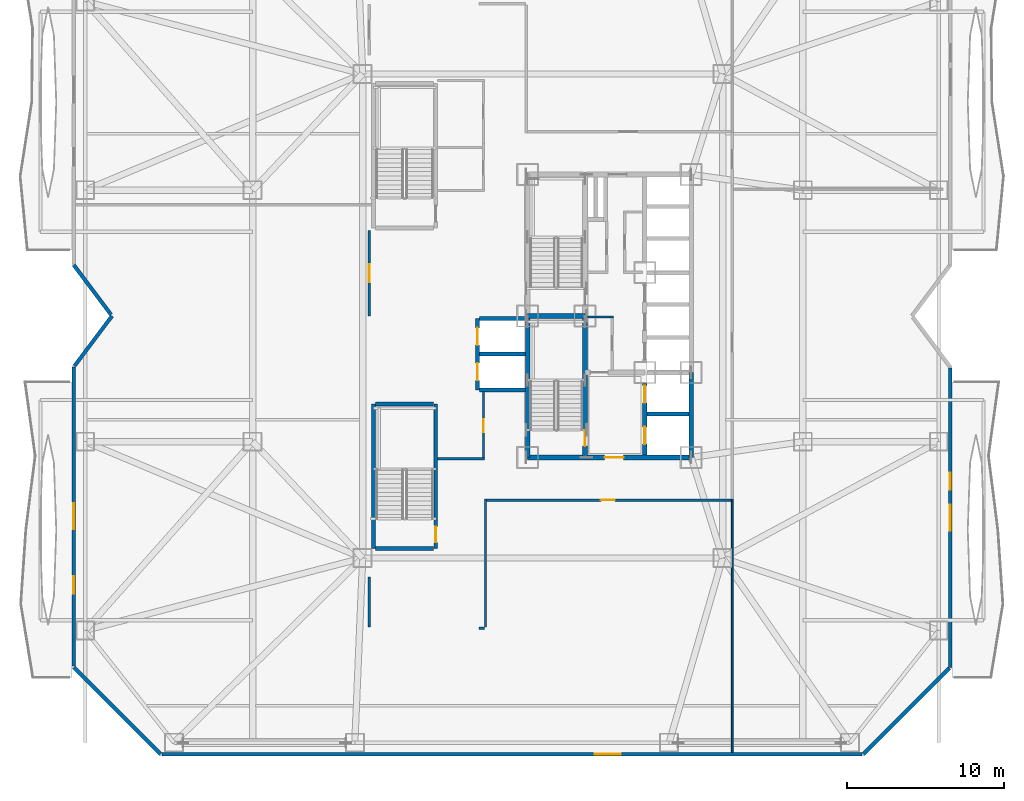
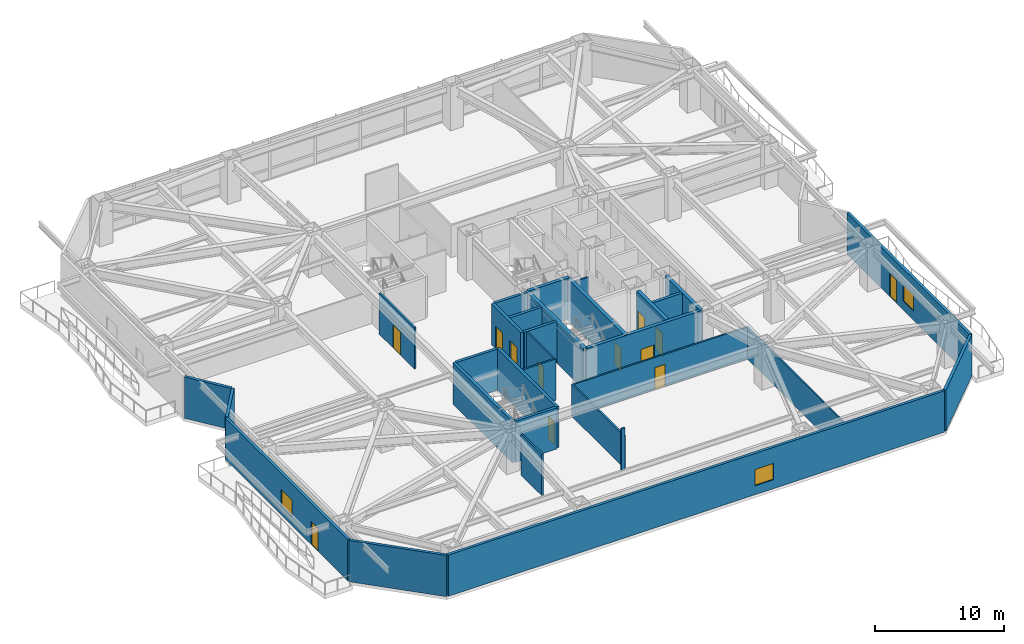
# One storey, part 16 of 24: 31 walls, 12 doors, 3 windows, 15 openings.
"""IFC4 building model written with IfcOpenShell, lengths in metres."""

from ifc_helpers import new_model, si_unit, direction, frame, frame_2d, origin, place, context, subcontext, project, spatial, rectangle, extrude, material, layer, layer_set, type_object, element, fill, save


model = new_model("IFC4")

# Units and contexts
model_context = context("Model", 3, precision=1e-05, world=origin(), true_north=direction((0.0, 1.0)))
body_context = subcontext(model_context, "Body", "Model", "MODEL_VIEW")
ifc_project = project(units=[si_unit("LENGTHUNIT", "METRE"), si_unit("AREAUNIT", "SQUARE_METRE"), si_unit("VOLUMEUNIT", "CUBIC_METRE"), si_unit("PLANEANGLEUNIT", "RADIAN"), si_unit("MASSUNIT", "GRAM", prefix="KILO")], contexts=[model_context])

# Site, building, storey
site_placement = place(None, origin())
site = spatial("IfcSite", under=ifc_project, at=site_placement, CompositionType="ELEMENT")
building_placement = place(site_placement, origin())
building = spatial("IfcBuilding", under=site, at=building_placement, Name="Khamvora Tower", CompositionType="ELEMENT")
storey_placement = place(building_placement, frame((0.0, 0.0, 20.39990234375)))
storey = spatial("IfcBuildingStorey", under=building, at=storey_placement, Name="L04", CompositionType="ELEMENT", Elevation=20.39990234375)

# Wall
ifc_material_1 = material(Name="Concrete C50/60", Category="concrete")
ifc_layer_1 = layer(ifc_material_1, 0.300048828125)
ifc_layer_set_1 = layer_set([ifc_layer_1], Name="Concrete C50/60")
wall_type_1 = type_object("IfcWallType", Name="WAL-CORE-300", PredefinedType="SHEAR", material=ifc_layer_set_1)
wall_1_placement = place(storey_placement, frame((29.0, 19.0, 0.0), z_axis=(0.0, 0.0, 1.0), x_axis=(0.0, 1.0, 0.0)))
element("IfcWall", 1, at=wall_1_placement, inside=storey, type_object=wall_type_1, Name="L04 central core west south wall", PredefinedType="SHEAR", context=body_context, shape_type="SweptSolid", body=[
    extrude(rectangle(XDim=9.0, YDim=0.300048828125, at=frame_2d((4.5, 0.0))), origin(), (0.0, 0.0, 1.0), 3.920166015625),
])

# Wall, opening, door
wall_2_placement = place(storey_placement, frame((29.0, 19.0, 0.0), z_axis=(0.0, 0.0, 1.0), x_axis=(1.0, 0.0, 0.0)))
wall_2 = element("IfcWall", 2, at=wall_2_placement, inside=storey, type_object=wall_type_1, Name="L04 central core south wall", PredefinedType="SHEAR", context=body_context, shape_type="SweptSolid", body=[
    extrude(rectangle(XDim=10.39990234375, YDim=0.300048828125, at=frame_2d((5.199951171875, 0.0))), origin(), (0.0, 0.0, 1.0), 3.920166015625),
])
opening_1_placement = place(wall_2_placement, frame((4.89990234375, 0.0, 0.0)))
opening_1 = element("IfcOpeningElement", 3, at=opening_1_placement, cuts=wall_2, Name="Opening D-CR1", PredefinedType="OPENING", context=body_context, shape_type="SweptSolid", body=[
    extrude(rectangle(XDim=1.199951171875, YDim=2.14990234375, at=frame_2d((0.60009765625, 1.074951171875))), frame((0.0, 0.159912109375, 0.0), z_axis=(0.0, -1.0, 0.0), x_axis=(1.0, 0.0, 0.0)), (0.0, 0.0, 1.0), 0.320068359375),
])
ifc_material_2 = material(Name="Powder-Coated Steel and Hardwood Leaf", Category="steel")
door_type_1 = type_object("IfcDoorType", Name="DOR-CORR-1200", OperationType="NOTDEFINED", PredefinedType="DOOR", material=ifc_material_2)
door_1_placement = place(opening_1_placement, origin())
door_1 = element("IfcDoor", 4, at=door_1_placement, inside=storey, type_object=door_type_1, Name="L04 south core lobby to corridor fire door", OperationType="SINGLE_SWING_LEFT", OverallHeight=2.14990234375, OverallWidth=1.199951171875, PredefinedType="DOOR", context=body_context, shape_type="SweptSolid", body=[
    extrude(rectangle(XDim=1.199951171875, YDim=2.14990234375, at=frame_2d((0.60009765625, 1.074951171875))), frame((0.0, 0.02490234375, 0.0), z_axis=(0.0, -1.0, 0.0), x_axis=(1.0, 0.0, 0.0)), (0.0, 0.0, 1.0), 0.050048828125),
])
fill(opening_1, door_1)

# Wall
wall_3_placement = place(storey_placement, frame((39.39990234375, 19.0, 0.0), z_axis=(0.0, 0.0, 1.0), x_axis=(0.0, 1.0, 0.0)))
element("IfcWall", 5, at=wall_3_placement, inside=storey, type_object=wall_type_1, Name="L04 central core east south wall", PredefinedType="SHEAR", context=body_context, shape_type="SweptSolid", body=[
    extrude(rectangle(XDim=5.39990234375, YDim=0.300048828125, at=frame_2d((2.699951171875, 0.0))), origin(), (0.0, 0.0, 1.0), 3.920166015625),
])

# Wall, opening, door
wall_4_placement = place(storey_placement, frame((32.64990234375, 19.0, 0.0), z_axis=(0.0, 0.0, 1.0), x_axis=(0.0, 1.0, 0.0)))
wall_4 = element("IfcWall", 6, at=wall_4_placement, inside=storey, type_object=wall_type_1, Name="L04 central core stair south spine wall", PredefinedType="SHEAR", context=body_context, shape_type="SweptSolid", body=[
    extrude(rectangle(XDim=9.0, YDim=0.300048828125, at=frame_2d((4.5, 0.0))), origin(), (0.0, 0.0, 1.0), 3.920166015625),
])
opening_2_placement = place(wall_4_placement, frame((0.719970703125, 0.0, 0.0)))
opening_2 = element("IfcOpeningElement", 7, at=opening_2_placement, cuts=wall_4, Name="Opening D-ST1", PredefinedType="OPENING", context=body_context, shape_type="SweptSolid", body=[
    extrude(rectangle(XDim=1.0, YDim=2.14990234375, at=frame_2d((0.5, 1.074951171875))), frame((0.0, 0.159912109375, 0.0), z_axis=(0.0, -1.0, 0.0), x_axis=(1.0, 0.0, 0.0)), (0.0, 0.0, 1.0), 0.320068359375),
])
door_type_2 = type_object("IfcDoorType", Name="DOR-STAIR-1000", OperationType="NOTDEFINED", PredefinedType="DOOR", material=ifc_material_2)
door_2_placement = place(opening_2_placement, origin())
door_2 = element("IfcDoor", 8, at=door_2_placement, inside=storey, type_object=door_type_2, Name="L04 exit stair ST-01 fire door", OperationType="SINGLE_SWING_RIGHT", OverallHeight=2.14990234375, OverallWidth=1.0, PredefinedType="DOOR", context=body_context, shape_type="SweptSolid", body=[
    extrude(rectangle(XDim=1.0, YDim=2.14990234375, at=frame_2d((0.5, 1.074951171875))), frame((0.0, 0.02490234375, 0.0), z_axis=(0.0, -1.0, 0.0), x_axis=(1.0, 0.0, 0.0)), (0.0, 0.0, 1.0), 0.050048828125),
])
fill(opening_2, door_2)

# Wall
wall_5_placement = place(storey_placement, frame((29.0, 28.0, 0.0), z_axis=(0.0, 0.0, 1.0), x_axis=(1.0, 0.0, 0.0)))
element("IfcWall", 9, at=wall_5_placement, inside=storey, type_object=wall_type_1, Name="L04 central core stair cross wall", PredefinedType="SHEAR", context=body_context, shape_type="SweptSolid", body=[
    extrude(rectangle(XDim=3.64990234375, YDim=0.300048828125, at=frame_2d((1.824951171875, 0.0))), origin(), (0.0, 0.0, 1.0), 3.920166015625),
])

# Wall, openings, doors
wall_6_placement = place(storey_placement, frame((36.449951171875, 19.154052734375, 0.0), z_axis=(0.0, 0.0, 1.0), x_axis=(0.0, 1.0, 0.0)))
wall_6 = element("IfcWall", 10, at=wall_6_placement, inside=storey, type_object=wall_type_1, Name="L04 central core lift bank south wall", PredefinedType="SHEAR", context=body_context, shape_type="SweptSolid", body=[
    extrude(rectangle(XDim=4.5458984375, YDim=0.300048828125, at=frame_2d((2.27294921875, 0.0))), origin(), (0.0, 0.0, 1.0), 3.920166015625),
])
opening_3_placement = place(wall_6_placement, frame((0.696044921875, 0.0, 0.0)))
opening_3 = element("IfcOpeningElement", 11, at=opening_3_placement, cuts=wall_6, Name="Opening LD-FFL", PredefinedType="OPENING", context=body_context, shape_type="SweptSolid", body=[
    extrude(rectangle(XDim=1.10009765625, YDim=2.14990234375, at=frame_2d((0.550048828125, 1.074951171875))), frame((0.0, 0.159912109375, 0.0), z_axis=(0.0, -1.0, 0.0), x_axis=(1.0, 0.0, 0.0)), (0.0, 0.0, 1.0), 0.320068359375),
])
opening_4_placement = place(wall_6_placement, frame((3.31591796875, 0.0, 0.0)))
opening_4 = element("IfcOpeningElement", 12, at=opening_4_placement, cuts=wall_6, Name="Opening LD-FFL", PredefinedType="OPENING", context=body_context, shape_type="SweptSolid", body=[
    extrude(rectangle(XDim=1.10009765625, YDim=2.14990234375, at=frame_2d((0.550048828125, 1.074951171875))), frame((0.0, 0.159912109375, 0.0), z_axis=(0.0, -1.0, 0.0), x_axis=(1.0, 0.0, 0.0)), (0.0, 0.0, 1.0), 0.320068359375),
])
door_type_3 = type_object("IfcDoorType", Name="DOR-LIFT-1100", OperationType="SLIDING_TO_LEFT", PredefinedType="DOOR", material=ifc_material_2)
door_3_placement = place(opening_3_placement, origin())
door_3 = element("IfcDoor", 13, at=door_3_placement, inside=storey, type_object=door_type_3, Name="L04 lift landing sliding door FFL-01", OperationType="SLIDING_TO_LEFT", OverallHeight=2.14990234375, OverallWidth=1.10009765625, PredefinedType="DOOR", context=body_context, shape_type="SweptSolid", body=[
    extrude(rectangle(XDim=1.10009765625, YDim=2.14990234375, at=frame_2d((0.550048828125, 1.074951171875))), frame((0.0, 0.02490234375, 0.0), z_axis=(0.0, -1.0, 0.0), x_axis=(1.0, 0.0, 0.0)), (0.0, 0.0, 1.0), 0.050048828125),
])
fill(opening_3, door_3)
door_4_placement = place(opening_4_placement, origin())
door_4 = element("IfcDoor", 14, at=door_4_placement, inside=storey, type_object=door_type_3, Name="L04 lift landing sliding door FFL-02", OperationType="SLIDING_TO_LEFT", OverallHeight=2.14990234375, OverallWidth=1.10009765625, PredefinedType="DOOR", context=body_context, shape_type="SweptSolid", body=[
    extrude(rectangle(XDim=1.10009765625, YDim=2.14990234375, at=frame_2d((0.550048828125, 1.074951171875))), frame((0.0, 0.02490234375, 0.0), z_axis=(0.0, -1.0, 0.0), x_axis=(1.0, 0.0, 0.0)), (0.0, 0.0, 1.0), 0.050048828125),
])
fill(opening_4, door_4)

# Walls
ifc_material_3 = material(Name="Fire-Rated Drywall and Steel Stud", Category="steel")
ifc_layer_2 = layer(ifc_material_3, 0.14990234375)
ifc_layer_set_2 = layer_set([ifc_layer_2], Name="Fire-Rated Drywall and Steel Stud")
wall_type_2 = type_object("IfcWallType", Name="WAL-CORR-150", PredefinedType="STANDARD", material=ifc_layer_set_2)
wall_7_placement = place(storey_placement, frame((34.449951171875, 27.93505859375, 0.0), z_axis=(0.0, 0.0, 1.0), x_axis=(-1.0, 0.0, 0.0)))
element("IfcWall", 15, at=wall_7_placement, inside=storey, type_object=wall_type_2, Name="L04 interior partition wall 007", PredefinedType="STANDARD", context=body_context, shape_type="SweptSolid", body=[
    extrude(rectangle(XDim=1.656005859375, YDim=0.14990234375, at=frame_2d((0.828125, 0.0))), origin(), (0.0, 0.0, 1.0), 3.377197265625),
])
wall_8_placement = place(storey_placement, frame((23.26708984375, 18.9150390625, 0.0), z_axis=(0.0, 0.0, 1.0), x_axis=(1.0, 0.0, 0.0)))
element("IfcWall", 16, at=wall_8_placement, inside=storey, type_object=wall_type_2, Name="L04 interior partition wall 008", PredefinedType="STANDARD", context=body_context, shape_type="SweptSolid", body=[
    extrude(rectangle(XDim=2.98291015625, YDim=0.14990234375, at=frame_2d((1.491455078125, 0.0))), origin(), (0.0, 0.0, 1.0), 3.920166015625),
])

# Wall, opening, door
wall_9_placement = place(storey_placement, frame((26.18505859375, 18.85205078125, 0.0), z_axis=(0.0, 0.0, 1.0), x_axis=(0.0, 1.0, 0.0)))
wall_9 = element("IfcWall", 17, at=wall_9_placement, inside=storey, type_object=wall_type_2, Name="L04 interior partition wall 009", PredefinedType="STANDARD", context=body_context, shape_type="SweptSolid", body=[
    extrude(rectangle(XDim=4.3310546875, YDim=0.14990234375, at=frame_2d((2.16552734375, 0.0))), origin(), (0.0, 0.0, 1.0), 3.920166015625),
])
opening_5_placement = place(wall_9_placement, frame((1.740966796875, 0.0, 0.0)))
opening_5 = element("IfcOpeningElement", 18, at=opening_5_placement, cuts=wall_9, Name="Opening D-WC1", PredefinedType="OPENING", context=body_context, shape_type="SweptSolid", body=[
    extrude(rectangle(XDim=0.85009765625, YDim=2.10009765625, at=frame_2d((0.425048828125, 1.050048828125))), frame((0.0, 0.0849609375, 0.0), z_axis=(0.0, -1.0, 0.0), x_axis=(1.0, 0.0, 0.0)), (0.0, 0.0, 1.0), 0.169921875),
])
door_type_4 = type_object("IfcDoorType", Name="DOR-WET-850", OperationType="NOTDEFINED", PredefinedType="DOOR", material=ifc_material_2)
door_5_placement = place(opening_5_placement, origin())
door_5 = element("IfcDoor", 19, at=door_5_placement, inside=storey, type_object=door_type_4, Name="L04 interior door SCOR-WCM", OperationType="SINGLE_SWING_RIGHT", OverallHeight=2.10009765625, OverallWidth=0.85009765625, PredefinedType="DOOR", context=body_context, shape_type="SweptSolid", body=[
    extrude(rectangle(XDim=0.85009765625, YDim=2.10009765625, at=frame_2d((0.425048828125, 1.050048828125))), frame((0.0, 0.02490234375, 0.0), z_axis=(0.0, -1.0, 0.0), x_axis=(1.0, 0.0, 0.0)), (0.0, 0.0, 1.0), 0.050048828125),
])
fill(opening_5, door_5)

wall_10_placement = place(storey_placement, frame((18.9150390625, 28.0, 0.0), z_axis=(0.0, 0.0, 1.0), x_axis=(0.0, 1.0, 0.0)))
wall_10 = element("IfcWall", 20, at=wall_10_placement, inside=storey, type_object=wall_type_2, Name="L04 interior partition wall 014", PredefinedType="STANDARD", context=body_context, shape_type="SweptSolid", body=[
    extrude(rectangle(XDim=5.449951171875, YDim=0.14990234375, at=frame_2d((2.72509765625, 0.0))), origin(), (0.0, 0.0, 1.0), 3.920166015625),
])
opening_6_placement = place(wall_10_placement, frame((2.14990234375, 0.0, 0.0)))
opening_6 = element("IfcOpeningElement", 21, at=opening_6_placement, cuts=wall_10, Name="Opening D-SC1", PredefinedType="OPENING", context=body_context, shape_type="SweptSolid", body=[
    extrude(rectangle(XDim=1.14990234375, YDim=2.199951171875, at=frame_2d((0.574951171875, 1.10009765625))), frame((0.0, 0.0849609375, 0.0), z_axis=(0.0, -1.0, 0.0), x_axis=(1.0, 0.0, 0.0)), (0.0, 0.0, 1.0), 0.169921875),
])
door_type_5 = type_object("IfcDoorType", Name="DOR-SCHL-1150", OperationType="NOTDEFINED", PredefinedType="DOOR", material=ifc_material_2)
door_6_placement = place(opening_6_placement, origin())
door_6 = element("IfcDoor", 22, at=door_6_placement, inside=storey, type_object=door_type_5, Name="L04 interior door SCOR-MAK", OperationType="SINGLE_SWING_LEFT", OverallHeight=2.199951171875, OverallWidth=1.14990234375, PredefinedType="DOOR", context=body_context, shape_type="SweptSolid", body=[
    extrude(rectangle(XDim=1.14990234375, YDim=2.199951171875, at=frame_2d((0.574951171875, 1.10009765625))), frame((0.0, 0.02490234375, 0.0), z_axis=(0.0, -1.0, 0.0), x_axis=(1.0, 0.0, 0.0)), (0.0, 0.0, 1.0), 0.050048828125),
])
fill(opening_6, door_6)

# Wall
wall_11_placement = place(storey_placement, frame((18.9150390625, 8.199951171875, 0.0), z_axis=(0.0, 0.0, 1.0), x_axis=(0.0, 1.0, 0.0)))
element("IfcWall", 23, at=wall_11_placement, inside=storey, type_object=wall_type_2, Name="L04 interior partition wall 015", PredefinedType="STANDARD", context=body_context, shape_type="SweptSolid", body=[
    extrude(rectangle(XDim=3.199951171875, YDim=0.14990234375, at=frame_2d((1.60009765625, 0.0))), origin(), (0.0, 0.0, 1.0), 3.920166015625),
])

# Wall, opening, door
wall_12_placement = place(storey_placement, frame((41.949951171875, 16.284912109375, 0.0), z_axis=(0.0, 0.0, 1.0), x_axis=(-1.0, 0.0, 0.0)))
wall_12 = element("IfcWall", 24, at=wall_12_placement, inside=storey, type_object=wall_type_2, Name="L04 interior partition wall 019", PredefinedType="STANDARD", context=body_context, shape_type="SweptSolid", body=[
    extrude(rectangle(XDim=15.699951171875, YDim=0.14990234375, at=frame_2d((7.85009765625, 0.0))), origin(), (0.0, 0.0, 1.0), 3.05517578125),
])
opening_7_placement = place(wall_12_placement, frame((7.39990234375, 0.0, 0.0)))
opening_7 = element("IfcOpeningElement", 25, at=opening_7_placement, cuts=wall_12, Name="Opening D-RM1", PredefinedType="OPENING", context=body_context, shape_type="SweptSolid", body=[
    extrude(rectangle(XDim=0.89990234375, YDim=2.10009765625, at=frame_2d((0.449951171875, 1.050048828125))), frame((0.0, 0.0849609375, 0.0), z_axis=(0.0, -1.0, 0.0), x_axis=(1.0, 0.0, 0.0)), (0.0, 0.0, 1.0), 0.169921875),
])
door_type_6 = type_object("IfcDoorType", Name="DOR-ROOM-900", OperationType="NOTDEFINED", PredefinedType="DOOR", material=ifc_material_2)
door_7_placement = place(opening_7_placement, origin())
door_7 = element("IfcDoor", 26, at=door_7_placement, inside=storey, type_object=door_type_6, Name="L04 interior door SCOR-CNS", OperationType="SINGLE_SWING_LEFT", OverallHeight=2.10009765625, OverallWidth=0.89990234375, PredefinedType="DOOR", context=body_context, shape_type="SweptSolid", body=[
    extrude(rectangle(XDim=0.89990234375, YDim=2.10009765625, at=frame_2d((0.449951171875, 1.050048828125))), frame((0.0, 0.02490234375, 0.0), z_axis=(0.0, -1.0, 0.0), x_axis=(1.0, 0.0, 0.0)), (0.0, 0.0, 1.0), 0.050048828125),
])
fill(opening_7, door_7)

# Walls
wall_13_placement = place(storey_placement, frame((26.31494140625, 16.35009765625, 0.0), z_axis=(0.0, 0.0, 1.0), x_axis=(0.0, -1.0, 0.0)))
element("IfcWall", 27, at=wall_13_placement, inside=storey, type_object=wall_type_2, Name="L04 interior partition wall 020", PredefinedType="STANDARD", context=body_context, shape_type="SweptSolid", body=[
    extrude(rectangle(XDim=8.150146484375, YDim=0.14990234375, at=frame_2d((4.0751953125, 0.0))), origin(), (0.0, 0.0, 1.0), 3.05517578125),
])
wall_14_placement = place(storey_placement, frame((26.25, 8.135009765625, 0.0), z_axis=(0.0, 0.0, 1.0), x_axis=(-1.0, 0.0, 0.0)))
element("IfcWall", 28, at=wall_14_placement, inside=storey, type_object=wall_type_2, Name="L04 interior partition wall 021", PredefinedType="STANDARD", context=body_context, shape_type="SweptSolid", body=[
    extrude(rectangle(XDim=0.339111328125, YDim=0.14990234375, at=frame_2d((0.16943359375, 0.0))), origin(), (0.0, 0.0, 1.0), 3.920166015625),
])
ifc_material_4 = material(Name="Precast concrete C40/50", Category="concrete")
ifc_layer_3 = layer(ifc_material_4, 0.239990234375)
ifc_layer_set_3 = layer_set([ifc_layer_3], Name="Precast concrete C40/50")
wall_type_3 = type_object("IfcWallType", Name="WAL-EXT-240", PredefinedType="STANDARD", material=ifc_layer_set_3)
wall_15_placement = place(storey_placement, frame((5.64990234375, 0.1201171875, 0.0), z_axis=(0.0, 0.0, 1.0), x_axis=(-0.707106781187, 0.707106781187, 0.0)))
element("IfcWall", 29, at=wall_15_placement, inside=storey, type_object=wall_type_3, Name="L04 exterior facade wall 01.1", PredefinedType="STANDARD", context=body_context, shape_type="SweptSolid", body=[
    extrude(rectangle(XDim=7.8203125, YDim=0.239990234375, at=frame_2d((3.91015625, 0.0))), origin(), (0.0, 0.0, 1.0), 3.920166015625),
])

# Wall, openings, door, window
wall_16_placement = place(storey_placement, frame((0.1201171875, 5.72802734375, 0.0), z_axis=(0.0, 0.0, 1.0), x_axis=(0.0, 1.0, 0.0)))
wall_16 = element("IfcWall", 30, at=wall_16_placement, inside=storey, type_object=wall_type_3, Name="L04 exterior facade wall 02.1", PredefinedType="STANDARD", context=body_context, shape_type="SweptSolid", body=[
    extrude(rectangle(XDim=19.031982421875, YDim=0.239990234375, at=frame_2d((9.51611328125, 0.0))), origin(), (0.0, 0.0, 1.0), 3.920166015625),
])
opening_8_placement = place(wall_16_placement, frame((4.612060546875, 0.0, 0.0)))
opening_8 = element("IfcOpeningElement", 31, at=opening_8_placement, cuts=wall_16, Name="Opening BD-01", PredefinedType="OPENING", context=body_context, shape_type="SweptSolid", body=[
    extrude(rectangle(XDim=1.10009765625, YDim=2.199951171875, at=frame_2d((0.550048828125, 1.10009765625))), frame((0.0, 0.1298828125, 0.0), z_axis=(0.0, -1.0, 0.0), x_axis=(1.0, 0.0, 0.0)), (0.0, 0.0, 1.0), 0.260009765625),
])
opening_9_placement = place(wall_16_placement, frame((8.69091796875, 0.0, 0.85009765625)))
opening_9 = element("IfcOpeningElement", 32, at=opening_9_placement, cuts=wall_16, Name="Opening WN-06", PredefinedType="OPENING", context=body_context, shape_type="SweptSolid", body=[
    extrude(rectangle(XDim=1.64990234375, YDim=1.550048828125, at=frame_2d((0.824951171875, 0.77490234375))), frame((0.0, 0.1298828125, 0.0), z_axis=(0.0, -1.0, 0.0), x_axis=(1.0, 0.0, 0.0)), (0.0, 0.0, 1.0), 0.260009765625),
])
ifc_material_5 = material(Name="Anodised Aluminium and Laminated Safety Glass", Category="aluminium")
door_type_7 = type_object("IfcDoorType", Name="DOR-BAL-1100", OperationType="NOTDEFINED", PredefinedType="DOOR", material=ifc_material_5)
door_8_placement = place(opening_8_placement, origin())
door_8 = element("IfcDoor", 33, at=door_8_placement, inside=storey, type_object=door_type_7, Name="L04 lens gallery balcony door WL1", OperationType="SLIDING_TO_LEFT", OverallHeight=2.199951171875, OverallWidth=1.10009765625, PredefinedType="DOOR", context=body_context, shape_type="SweptSolid", body=[
    extrude(rectangle(XDim=1.10009765625, YDim=2.199951171875, at=frame_2d((0.550048828125, 1.10009765625))), frame((0.0, 0.02490234375, 0.0), z_axis=(0.0, -1.0, 0.0), x_axis=(1.0, 0.0, 0.0)), (0.0, 0.0, 1.0), 0.050048828125),
])
fill(opening_8, door_8)
ifc_material_6 = material(Name="Low-E Laminated Double Glazing", Category="glass")
window_type = type_object("IfcWindowType", Name="WIN-VIS-1650x1550", PartitioningType="SINGLE_PANEL", PredefinedType="WINDOW", material=ifc_material_6)
window_1_placement = place(opening_9_placement, origin())
window_1 = element("IfcWindow", 34, at=window_1_placement, inside=storey, type_object=window_type, Name="L04 vision window 02.1.01", OverallHeight=1.550048828125, OverallWidth=1.64990234375, PartitioningType="SINGLE_PANEL", PredefinedType="WINDOW", context=body_context, shape_type="SweptSolid", body=[
    extrude(rectangle(XDim=1.64990234375, YDim=1.550048828125, at=frame_2d((0.824951171875, 0.77490234375))), frame((0.0, 0.030029296875, 0.0), z_axis=(0.0, -1.0, 0.0), x_axis=(1.0, 0.0, 0.0)), (0.0, 0.0, 1.0), 0.06005859375),
])
fill(opening_9, window_1)

# Walls
wall_17_placement = place(storey_placement, frame((0.157958984375, 24.81103515625, 0.0), z_axis=(0.0, 0.0, 1.0), x_axis=(0.600058791648, 0.799955902889, 0.0)))
element("IfcWall", 35, at=wall_17_placement, inside=storey, type_object=wall_type_3, Name="L04 exterior facade wall 03.1", PredefinedType="STANDARD", context=body_context, shape_type="SweptSolid", body=[
    extrude(rectangle(XDim=3.986328125, YDim=0.239990234375, at=frame_2d((1.9931640625, 0.0))), origin(), (0.0, 0.0, 1.0), 3.920166015625),
])
wall_18_placement = place(storey_placement, frame((2.487060546875, 28.083984375, 0.0), z_axis=(0.0, 0.0, 1.0), x_axis=(-0.599990098106, 0.800007426325, 0.0)))
element("IfcWall", 36, at=wall_18_placement, inside=storey, type_object=wall_type_3, Name="L04 exterior facade wall 04.1", PredefinedType="STANDARD", context=body_context, shape_type="SweptSolid", body=[
    extrude(rectangle(XDim=3.945068359375, YDim=0.239990234375, at=frame_2d((1.97265625, 0.0))), origin(), (0.0, 0.0, 1.0), 3.920166015625),
])

# Wall, openings, door, window
wall_19_placement = place(storey_placement, frame((55.8798828125, 24.697998046875, 0.0), z_axis=(0.0, 0.0, 1.0), x_axis=(0.0, -1.0, 0.0)))
wall_19 = element("IfcWall", 37, at=wall_19_placement, inside=storey, type_object=wall_type_3, Name="L04 exterior facade wall 12.1", PredefinedType="STANDARD", context=body_context, shape_type="SweptSolid", body=[
    extrude(rectangle(XDim=19.048095703125, YDim=0.239990234375, at=frame_2d((9.52392578125, 0.0))), origin(), (0.0, 0.0, 1.0), 3.920166015625),
])
opening_10_placement = place(wall_19_placement, frame((6.657958984375, 0.0, 0.0)))
opening_10 = element("IfcOpeningElement", 38, at=opening_10_placement, cuts=wall_19, Name="Opening BD-01", PredefinedType="OPENING", context=body_context, shape_type="SweptSolid", body=[
    extrude(rectangle(XDim=1.10009765625, YDim=2.199951171875, at=frame_2d((0.550048828125, 1.10009765625))), frame((0.0, 0.1298828125, 0.0), z_axis=(0.0, -1.0, 0.0), x_axis=(1.0, 0.0, 0.0)), (0.0, 0.0, 1.0), 0.260009765625),
])
opening_11_placement = place(wall_19_placement, frame((8.698974609375, 0.0, 0.85009765625)))
opening_11 = element("IfcOpeningElement", 39, at=opening_11_placement, cuts=wall_19, Name="Opening WN-06", PredefinedType="OPENING", context=body_context, shape_type="SweptSolid", body=[
    extrude(rectangle(XDim=1.64990234375, YDim=1.550048828125, at=frame_2d((0.824951171875, 0.77490234375))), frame((0.0, 0.1298828125, 0.0), z_axis=(0.0, -1.0, 0.0), x_axis=(1.0, 0.0, 0.0)), (0.0, 0.0, 1.0), 0.260009765625),
])
door_9_placement = place(opening_10_placement, origin())
door_9 = element("IfcDoor", 40, at=door_9_placement, inside=storey, type_object=door_type_7, Name="L04 lens gallery balcony door EL1", OperationType="SLIDING_TO_LEFT", OverallHeight=2.199951171875, OverallWidth=1.10009765625, PredefinedType="DOOR", context=body_context, shape_type="SweptSolid", body=[
    extrude(rectangle(XDim=1.10009765625, YDim=2.199951171875, at=frame_2d((0.550048828125, 1.10009765625))), frame((0.0, 0.02490234375, 0.0), z_axis=(0.0, -1.0, 0.0), x_axis=(1.0, 0.0, 0.0)), (0.0, 0.0, 1.0), 0.050048828125),
])
fill(opening_10, door_9)
window_2_placement = place(opening_11_placement, origin())
window_2 = element("IfcWindow", 41, at=window_2_placement, inside=storey, type_object=window_type, Name="L04 vision window 12.1.01", OverallHeight=1.550048828125, OverallWidth=1.64990234375, PartitioningType="SINGLE_PANEL", PredefinedType="WINDOW", context=body_context, shape_type="SweptSolid", body=[
    extrude(rectangle(XDim=1.64990234375, YDim=1.550048828125, at=frame_2d((0.824951171875, 0.77490234375))), frame((0.0, 0.030029296875, 0.0), z_axis=(0.0, -1.0, 0.0), x_axis=(1.0, 0.0, 0.0)), (0.0, 0.0, 1.0), 0.06005859375),
])
fill(opening_11, window_2)

# Wall
wall_20_placement = place(storey_placement, frame((55.825927734375, 5.595947265625, 0.0), z_axis=(0.0, 0.0, 1.0), x_axis=(-0.707106781187, -0.707106781187, 0.0)))
element("IfcWall", 42, at=wall_20_placement, inside=storey, type_object=wall_type_3, Name="L04 exterior facade wall 13.1", PredefinedType="STANDARD", context=body_context, shape_type="SweptSolid", body=[
    extrude(rectangle(XDim=7.743896484375, YDim=0.239990234375, at=frame_2d((3.8720703125, 0.0))), origin(), (0.0, 0.0, 1.0), 3.920166015625),
])

# Wall, opening, window
wall_21_placement = place(storey_placement, frame((50.27490234375, 0.1201171875, 0.0), z_axis=(0.0, 0.0, 1.0), x_axis=(-1.0, 0.0, 0.0)))
wall_21 = element("IfcWall", 43, at=wall_21_placement, inside=storey, type_object=wall_type_3, Name="L04 exterior facade wall 14.1", PredefinedType="STANDARD", context=body_context, shape_type="SweptSolid", body=[
    extrude(rectangle(XDim=44.5498046875, YDim=0.239990234375, at=frame_2d((22.27490234375, 0.0))), origin(), (0.0, 0.0, 1.0), 3.920166015625),
])
opening_12_placement = place(wall_21_placement, frame((15.35009765625, 0.0, 0.85009765625)))
opening_12 = element("IfcOpeningElement", 44, at=opening_12_placement, cuts=wall_21, Name="Opening WN-06", PredefinedType="OPENING", context=body_context, shape_type="SweptSolid", body=[
    extrude(rectangle(XDim=1.64990234375, YDim=1.550048828125, at=frame_2d((0.824951171875, 0.77490234375))), frame((0.0, 0.1298828125, 0.0), z_axis=(0.0, -1.0, 0.0), x_axis=(1.0, 0.0, 0.0)), (0.0, 0.0, 1.0), 0.260009765625),
])
window_3_placement = place(opening_12_placement, origin())
window_3 = element("IfcWindow", 45, at=window_3_placement, inside=storey, type_object=window_type, Name="L04 vision window 14.1.01", OverallHeight=1.550048828125, OverallWidth=1.64990234375, PartitioningType="SINGLE_PANEL", PredefinedType="WINDOW", context=body_context, shape_type="SweptSolid", body=[
    extrude(rectangle(XDim=1.64990234375, YDim=1.550048828125, at=frame_2d((0.824951171875, 0.77490234375))), frame((0.0, 0.030029296875, 0.0), z_axis=(0.0, -1.0, 0.0), x_axis=(1.0, 0.0, 0.0)), (0.0, 0.0, 1.0), 0.06005859375),
])
fill(opening_12, window_3)

# Walls
ifc_material_7 = material(Name="Gypsum Plasterboard Partition", Category="gypsum")
ifc_layer_4 = layer(ifc_material_7, 0.1201171875)
ifc_layer_set_4 = layer_set([ifc_layer_4], Name="Gypsum Plasterboard Partition")
wall_type_4 = type_object("IfcWallType", Name="WAL-PART-120", PredefinedType="PARTITIONING", material=ifc_layer_set_4)
wall_22_placement = place(storey_placement, frame((42.014892578125, 0.23193359375, 0.0), z_axis=(0.0, 0.0, 1.0), x_axis=(0.0, 1.0, 0.0)))
element("IfcWall", 46, at=wall_22_placement, inside=storey, type_object=wall_type_4, Name="L04 interior partition wall 028", PredefinedType="PARTITIONING", context=body_context, shape_type="SweptSolid", body=[
    extrude(rectangle(XDim=16.1181640625, YDim=0.1201171875, at=frame_2d((8.05908203125, 0.0))), origin(), (0.0, 0.0, 1.0), 3.05517578125),
])
ifc_material_8 = material(Name="Concrete C40/50", Category="concrete")
ifc_layer_5 = layer(ifc_material_8, 0.25)
ifc_layer_set_5 = layer_set([ifc_layer_5], Name="Concrete C40/50")
wall_type_5 = type_object("IfcWallType", Name="WAL-PODS-250", PredefinedType="SHEAR", material=ifc_layer_set_5)
wall_23_placement = place(storey_placement, frame((36.60400390625, 21.77490234375, 0.0), z_axis=(0.0, 0.0, 1.0), x_axis=(1.0, 0.0, 0.0)))
element("IfcWall", 47, at=wall_23_placement, inside=storey, type_object=wall_type_5, Name="L04 lift shaft divider wall FFL-01", PredefinedType="SHEAR", context=body_context, shape_type="SweptSolid", body=[
    extrude(rectangle(XDim=2.64208984375, YDim=0.25, at=frame_2d((1.321044921875, 0.0))), origin(), (0.0, 0.0, 1.0), 3.920166015625),
])
wall_24_placement = place(storey_placement, frame((19.199951171875, 13.199951171875, 0.0), z_axis=(0.0, 0.0, 1.0), x_axis=(0.0, 1.0, 0.0)))
element("IfcWall", 48, at=wall_24_placement, inside=storey, type_object=wall_type_5, Name="L04 podium stair core wall st3 w", PredefinedType="SHEAR", context=body_context, shape_type="SweptSolid", body=[
    extrude(rectangle(XDim=9.199951171875, YDim=0.25, at=frame_2d((4.60009765625, 0.0))), origin(), (0.0, 0.0, 1.0), 3.920166015625),
])

# Wall, opening, door
wall_25_placement = place(storey_placement, frame((23.14990234375, 13.199951171875, 0.0), z_axis=(0.0, 0.0, 1.0), x_axis=(0.0, 1.0, 0.0)))
wall_25 = element("IfcWall", 49, at=wall_25_placement, inside=storey, type_object=wall_type_5, Name="L04 podium stair core wall st3 e", PredefinedType="SHEAR", context=body_context, shape_type="SweptSolid", body=[
    extrude(rectangle(XDim=9.199951171875, YDim=0.25, at=frame_2d((4.60009765625, 0.0))), origin(), (0.0, 0.0, 1.0), 3.920166015625),
])
opening_13_placement = place(wall_25_placement, frame((0.39990234375, 0.0, 0.0)))
opening_13 = element("IfcOpeningElement", 50, at=opening_13_placement, cuts=wall_25, Name="Opening D-ST1", PredefinedType="OPENING", context=body_context, shape_type="SweptSolid", body=[
    extrude(rectangle(XDim=1.0, YDim=2.14990234375, at=frame_2d((0.5, 1.074951171875))), frame((0.0, 0.135009765625, 0.0), z_axis=(0.0, -1.0, 0.0), x_axis=(1.0, 0.0, 0.0)), (0.0, 0.0, 1.0), 0.27001953125),
])
door_10_placement = place(opening_13_placement, origin())
door_10 = element("IfcDoor", 51, at=door_10_placement, inside=storey, type_object=door_type_2, Name="L04 podium stair ST3 enclosure door", OperationType="SINGLE_SWING_LEFT", OverallHeight=2.14990234375, OverallWidth=1.0, PredefinedType="DOOR", context=body_context, shape_type="SweptSolid", body=[
    extrude(rectangle(XDim=1.0, YDim=2.14990234375, at=frame_2d((0.5, 1.074951171875))), frame((0.0, 0.02490234375, 0.0), z_axis=(0.0, -1.0, 0.0), x_axis=(1.0, 0.0, 0.0)), (0.0, 0.0, 1.0), 0.050048828125),
])
fill(opening_13, door_10)

# Walls
for number, where, z_axis, x_axis, name in (
    (52, (19.3291015625, 13.199951171875, 0.0), (0.0, 0.0, 1.0), (1.0, 0.0, 0.0), "L04 podium stair core wall st3 s"),
    (53, (19.3291015625, 22.39990234375, 0.0), (0.0, 0.0, 1.0), (1.0, 0.0, 0.0), "L04 podium stair core wall st3 n"),
):
    element("IfcWall", number, at=place(storey_placement, frame(where, z_axis=z_axis, x_axis=x_axis)), inside=storey, type_object=wall_type_5, Name=name, PredefinedType="SHEAR", context=body_context, shape_type="SweptSolid", body=[
        extrude(rectangle(XDim=3.69189453125, YDim=0.25, at=frame_2d((1.845947265625, 0.0))), origin(), (0.0, 0.0, 1.0), 3.920166015625),
    ])

# Wall, openings, doors
wall_26_placement = place(storey_placement, frame((25.800048828125, 23.300048828125, 0.0), z_axis=(0.0, 0.0, 1.0), x_axis=(0.0, 1.0, 0.0)))
wall_26 = element("IfcWall", 54, at=wall_26_placement, inside=storey, type_object=wall_type_5, Name="L04 podium lift shaft wall slw w", PredefinedType="SHEAR", context=body_context, shape_type="SweptSolid", body=[
    extrude(rectangle(XDim=4.550048828125, YDim=0.25, at=frame_2d((2.27490234375, 0.0))), origin(), (0.0, 0.0, 1.0), 3.920166015625),
])
opening_14_placement = place(wall_26_placement, frame((0.60009765625, 0.0, 0.0)))
opening_14 = element("IfcOpeningElement", 55, at=opening_14_placement, cuts=wall_26, Name="Opening LD-SL", PredefinedType="OPENING", context=body_context, shape_type="SweptSolid", body=[
    extrude(rectangle(XDim=1.10009765625, YDim=2.14990234375, at=frame_2d((0.550048828125, 1.074951171875))), frame((0.0, 0.135009765625, 0.0), z_axis=(0.0, -1.0, 0.0), x_axis=(1.0, 0.0, 0.0)), (0.0, 0.0, 1.0), 0.27001953125),
])
opening_15_placement = place(wall_26_placement, frame((2.85009765625, 0.0, 0.0)))
opening_15 = element("IfcOpeningElement", 56, at=opening_15_placement, cuts=wall_26, Name="Opening LD-SL", PredefinedType="OPENING", context=body_context, shape_type="SweptSolid", body=[
    extrude(rectangle(XDim=1.10009765625, YDim=2.14990234375, at=frame_2d((0.550048828125, 1.074951171875))), frame((0.0, 0.135009765625, 0.0), z_axis=(0.0, -1.0, 0.0), x_axis=(1.0, 0.0, 0.0)), (0.0, 0.0, 1.0), 0.27001953125),
])
door_type_8 = type_object("IfcDoorType", Name="DOR-LIFT-1100S", OperationType="SLIDING_TO_LEFT", PredefinedType="DOOR", material=ifc_material_2)
door_11_placement = place(opening_14_placement, origin())
door_11 = element("IfcDoor", 57, at=door_11_placement, inside=storey, type_object=door_type_8, Name="L04 school lift landing sliding door SL-01", OperationType="SLIDING_TO_LEFT", OverallHeight=2.14990234375, OverallWidth=1.10009765625, PredefinedType="DOOR", context=body_context, shape_type="SweptSolid", body=[
    extrude(rectangle(XDim=1.10009765625, YDim=2.14990234375, at=frame_2d((0.550048828125, 1.074951171875))), frame((0.0, 0.02490234375, 0.0), z_axis=(0.0, -1.0, 0.0), x_axis=(1.0, 0.0, 0.0)), (0.0, 0.0, 1.0), 0.050048828125),
])
fill(opening_14, door_11)
door_12_placement = place(opening_15_placement, origin())
door_12 = element("IfcDoor", 58, at=door_12_placement, inside=storey, type_object=door_type_8, Name="L04 school lift landing sliding door SL-02", OperationType="SLIDING_TO_LEFT", OverallHeight=2.14990234375, OverallWidth=1.10009765625, PredefinedType="DOOR", context=body_context, shape_type="SweptSolid", body=[
    extrude(rectangle(XDim=1.10009765625, YDim=2.14990234375, at=frame_2d((0.550048828125, 1.074951171875))), frame((0.0, 0.02490234375, 0.0), z_axis=(0.0, -1.0, 0.0), x_axis=(1.0, 0.0, 0.0)), (0.0, 0.0, 1.0), 0.050048828125),
])
fill(opening_15, door_12)

# Walls
for number, where, z_axis, x_axis, name in (
    (59, (25.928955078125, 23.300048828125, 0.0), (0.0, 0.0, 1.0), (1.0, 0.0, 0.0), "L04 podium lift shaft wall slw s"),
    (60, (25.928955078125, 27.85009765625, 0.0), (0.0, 0.0, 1.0), (1.0, 0.0, 0.0), "L04 podium lift shaft wall slw n"),
    (61, (25.928955078125, 25.570068359375, 0.0), (0.0, 0.0, 1.0), (1.0, 0.0, 0.0), "L04 podium lift shaft wall slw m"),
):
    element("IfcWall", number, at=place(storey_placement, frame(where, z_axis=z_axis, x_axis=x_axis)), inside=storey, type_object=wall_type_5, Name=name, PredefinedType="SHEAR", context=body_context, shape_type="SweptSolid", body=[
        extrude(rectangle(XDim=2.9169921875, YDim=0.25, at=frame_2d((1.45849609375, 0.0))), origin(), (0.0, 0.0, 1.0), 3.920166015625),
    ])

save(model, "model.ifc")
